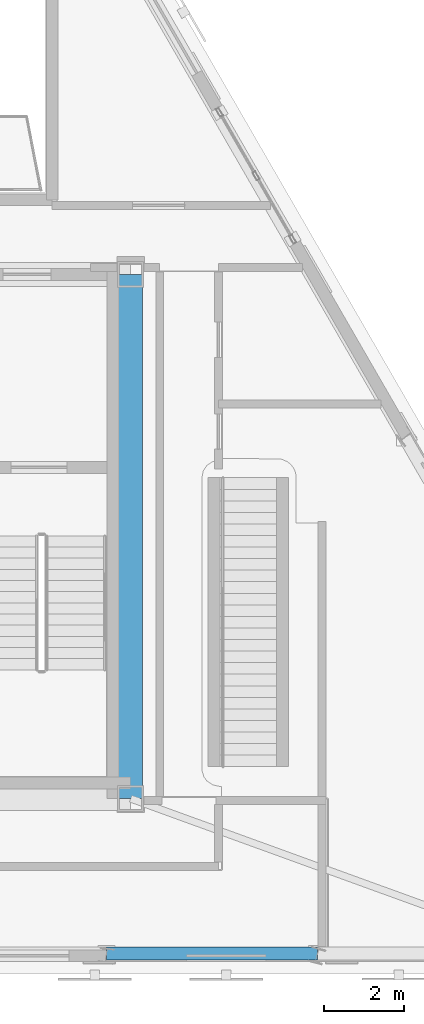
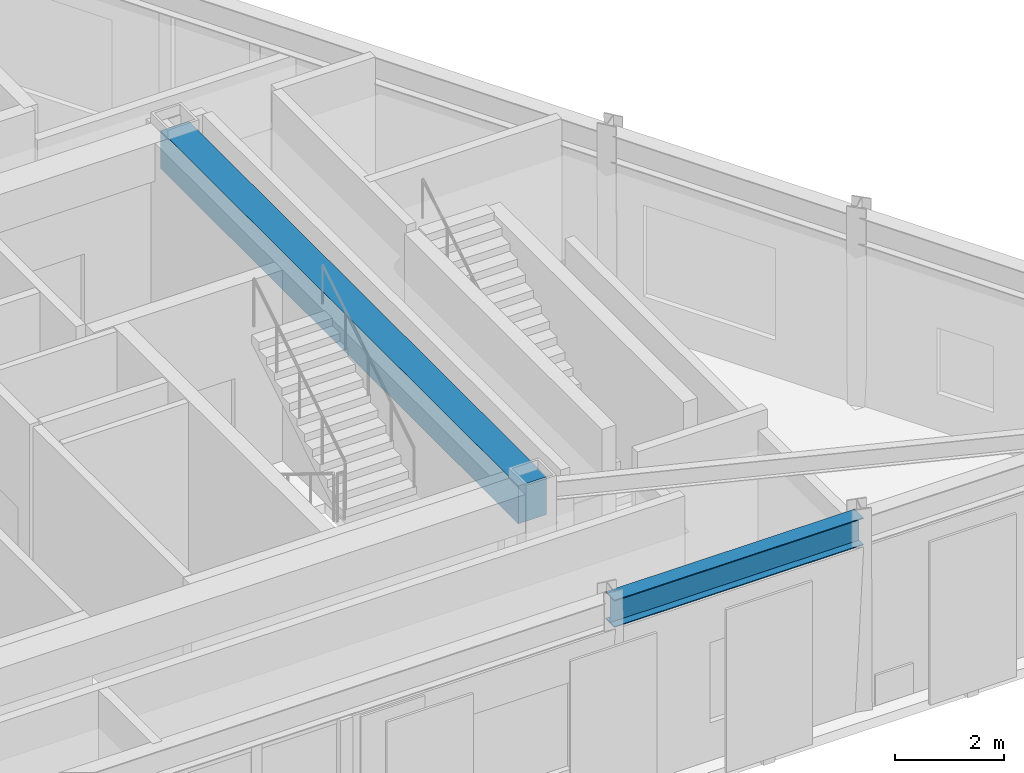
# One storey, part 3 of 15: 2 beams.
"""IFC4 building model written with IfcOpenShell, lengths in metres."""

import ifcopenshell
import ifcopenshell.guid

model = None  # the IFC model being written
_history = None  # IfcOwnerHistory: only IFC2X3 demands one
_inside = {}  # id of a spatial element -> (the spatial element, [elements in it])
_under = {}  # id of a project, library or spatial element -> (it, [spatial elements below it])
_declared = {}  # id of a project -> (the project, [libraries it declares])
_typed = {}  # id of a type object -> (the type object, [elements of that type])
_made_of = {}  # id of a material, layer set ... -> (it, [elements and type objects made of it])


def new_model(schema):
    """Start an empty IFC model of exactly this schema.

    Asked for "IFC4X3", IfcOpenShell would pick the latest addendum, in which some entities
    have other attributes; the version numbers below select the first issue.
    IFC2X3 requires an IfcOwnerHistory on every rooted entity: one is made here for all.
    """
    global model, _history
    if schema == "IFC4X3":
        model = ifcopenshell.file(schema_version=(4, 3, 0, 0))
    else:
        model = ifcopenshell.file(schema=schema)
    _inside.clear()
    _under.clear()
    _declared.clear()
    _typed.clear()
    _made_of.clear()
    _history = None
    if model.schema == "IFC2X3":
        org = make("IfcOrganization", Name="unknown")
        user = make(
            "IfcPersonAndOrganization",
            ThePerson=make("IfcPerson", FamilyName="unknown"),
            TheOrganization=org,
        )
        app = make(
            "IfcApplication",
            ApplicationDeveloper=org,
            Version="unknown",
            ApplicationFullName="unknown",
            ApplicationIdentifier="unknown",
        )
        _history = make(
            "IfcOwnerHistory",
            OwningUser=user,
            OwningApplication=app,
            ChangeAction="ADDED",
            CreationDate=0,
        )
    return model


def make(cls, **values):
    """One entity of the class cls with the attributes given. An attribute that is None is left unset."""
    return model.create_entity(
        cls, **{name: value for name, value in values.items() if value is not None}
    )


def rooted(cls, **values):
    """An entity with a GlobalId (a new one), such as an element, a storey or a relation."""
    return make(cls, GlobalId=ifcopenshell.guid.new(), OwnerHistory=_history, **values)


def si_unit(unit_type, name, prefix=None):
    """IfcSIUnit, for example si_unit("LENGTHUNIT", "METRE", prefix="MILLI")."""
    return make("IfcSIUnit", UnitType=unit_type, Prefix=prefix, Name=name)


def assignment(units):
    """IfcUnitAssignment: the units of a project."""
    return None if units is None else make("IfcUnitAssignment", Units=units)


def point(xyz):
    """IfcCartesianPoint."""
    return None if xyz is None else make("IfcCartesianPoint", Coordinates=xyz)


def direction(xyz):
    """IfcDirection."""
    return None if xyz is None else make("IfcDirection", DirectionRatios=xyz)


def frame(location, z_axis=None, x_axis=None):
    """IfcAxis2Placement3D, a coordinate frame: its origin and axes. An axis left out is left unset."""
    return make(
        "IfcAxis2Placement3D",
        Location=point(location),
        Axis=direction(z_axis),
        RefDirection=direction(x_axis),
    )


def frame_2d(location, x_axis=None):
    """IfcAxis2Placement2D, a coordinate frame in the plane: its origin and x axis."""
    return make(
        "IfcAxis2Placement2D", Location=point(location), RefDirection=direction(x_axis)
    )


def origin():
    """The frame at (0, 0, 0) with its axes left unset."""
    return frame((0.0, 0.0, 0.0))


def origin_2d():
    """The frame at (0, 0) in the plane with its x axis left unset."""
    return frame_2d((0.0, 0.0))


def place(relative_to, where):
    """IfcLocalPlacement: puts the frame where relative to a parent placement (None: the world)."""
    return make(
        "IfcLocalPlacement", PlacementRelTo=relative_to, RelativePlacement=where
    )


def context(
    kind, dimensions, precision=None, world=None, true_north=None, identifier=None
):
    """IfcGeometricRepresentationContext, for example the 3D "Model" context."""
    return make(
        "IfcGeometricRepresentationContext",
        ContextIdentifier=identifier,
        ContextType=kind,
        CoordinateSpaceDimension=dimensions,
        Precision=precision,
        WorldCoordinateSystem=world,
        TrueNorth=true_north,
    )


def subcontext(parent, identifier, kind, view, scale=None):
    """IfcGeometricRepresentationSubContext, for example "Body" below "Model"."""
    return make(
        "IfcGeometricRepresentationSubContext",
        ContextIdentifier=identifier,
        ContextType=kind,
        ParentContext=parent,
        TargetScale=scale,
        TargetView=view,
    )


def project(units=None, contexts=None):
    """IfcProject with its units and contexts."""
    return rooted(
        "IfcProject",
        Name="project",
        RepresentationContexts=contexts,
        UnitsInContext=assignment(units),
    )


def spatial(cls, under=None, at=None, **own):
    """A site, building, storey or space (cls), placed at a placement, below another one or the project."""
    s = rooted(cls, ObjectPlacement=at, **own)
    if under is not None:
        _under.setdefault(under.id(), (under, []))[1].append(s)
    return s


def profile(cls, at=None, kind="AREA", **sizes):
    """A parametric profile (cls). Its sizes go by their IFC names, for example OverallWidth=200.0."""
    return make(cls, ProfileType=kind, Position=at, **sizes)


def rectangle(**sizes):
    """IfcRectangleProfileDef."""
    return profile("IfcRectangleProfileDef", **sizes)


def i_section(**sizes):
    """IfcIShapeProfileDef."""
    return profile("IfcIShapeProfileDef", **sizes)


def extrude(swept, where, along, depth):
    """IfcExtrudedAreaSolid: the profile swept, set in the frame where, extruded along a direction by depth."""
    return make(
        "IfcExtrudedAreaSolid",
        SweptArea=swept,
        Position=where,
        ExtrudedDirection=direction(along),
        Depth=depth,
    )


def shape(context_of_items, identifier, shape_type, items):
    """IfcShapeRepresentation: the items that make up one representation, for example the "Body"."""
    return make(
        "IfcShapeRepresentation",
        ContextOfItems=context_of_items,
        RepresentationIdentifier=identifier,
        RepresentationType=shape_type,
        Items=items,
    )


def material(Name=None, Category=None):
    """IfcMaterial."""
    return make("IfcMaterial", Name=Name, Category=Category)


def material_profile(
    of_material, cross_section, Name=None, Category=None, Priority=None
):
    """IfcMaterialProfile: a cross section and its material."""
    return make(
        "IfcMaterialProfile",
        Name=Name,
        Material=of_material,
        Profile=cross_section,
        Priority=Priority,
        Category=Category,
    )


def profile_set(profiles, Name=None, composite=None):
    """IfcMaterialProfileSet."""
    return make(
        "IfcMaterialProfileSet",
        Name=Name,
        MaterialProfiles=profiles,
        CompositeProfile=composite,
    )


def made_of(thing, what):
    """Note that an element or type object is made of a material, layer set ...; save() writes the relation."""
    if what is not None:
        _made_of.setdefault(what.id(), (what, []))[1].append(thing)
    return thing


def type_object(cls, material=None, **own):
    """A type object (cls), such as IfcWallType, which elements share."""
    return made_of(rooted(cls, **own), material)


def element(
    cls,
    number,
    at=None,
    inside=None,
    cuts=None,
    type_object=None,
    material=None,
    context=None,
    identifier="Body",
    shape_type=None,
    held_by="IfcProductDefinitionShape",
    body=None,
    shapes=None,
    **own,
):
    """One element of the class cls, such as IfcWall. Its Tag is "e" and its number.

    at: its placement. inside: the storey or other place that contains it. cuts: it is an
    opening in that element (IfcRelVoidsElement). A single representation is given by context,
    identifier, shape_type and body (its items); several are given by shapes. held_by: the class
    of the entity that holds the representations. save() writes the other relations.
    """
    e = rooted(cls, Tag="e%d" % number, ObjectPlacement=at, **own)
    if body is not None:
        shapes = [shape(context, identifier, shape_type, body)]
    if shapes is not None:
        e.Representation = make(held_by, Representations=shapes)
    if inside is not None:
        _inside.setdefault(inside.id(), (inside, []))[1].append(e)
    if cuts is not None:
        rooted(
            "IfcRelVoidsElement", RelatingBuildingElement=cuts, RelatedOpeningElement=e
        )
    if type_object is not None:
        _typed.setdefault(type_object.id(), (type_object, []))[1].append(e)
    return made_of(e, material)


def aggregate(whole, parts):
    """IfcRelAggregates: a whole, such as a stair, and the parts it consists of."""
    return rooted("IfcRelAggregates", RelatingObject=whole, RelatedObjects=parts)


def save(model, path):
    """Write the relations noted so far, then the file.

    IfcRelAggregates (storeys below a building ...), IfcRelContainedInSpatialStructure (elements
    in a storey), IfcRelDefinesByType, IfcRelAssociatesMaterial and IfcRelDeclares: one each for
    every whole, place, type object, material and project.
    """
    for whole, parts in _under.values():
        aggregate(whole, parts)
    for where, things in _inside.values():
        rooted(
            "IfcRelContainedInSpatialStructure",
            RelatedElements=things,
            RelatingStructure=where,
        )
    for kind, things in _typed.values():
        rooted("IfcRelDefinesByType", RelatedObjects=things, RelatingType=kind)
    for what, things in _made_of.values():
        rooted("IfcRelAssociatesMaterial", RelatedObjects=things, RelatingMaterial=what)
    for by, libraries in _declared.values():
        rooted("IfcRelDeclares", RelatingContext=by, RelatedDefinitions=libraries)
    model.write(path)


model = new_model("IFC4")

# Units and contexts
model_context = context("Model", 3, precision=1e-05, world=origin(), true_north=direction((0.0, 1.0)))
body_context = subcontext(model_context, "Body", "Model", "MODEL_VIEW")
ifc_project = project(units=[si_unit("LENGTHUNIT", "METRE"), si_unit("AREAUNIT", "SQUARE_METRE"), si_unit("VOLUMEUNIT", "CUBIC_METRE"), si_unit("PLANEANGLEUNIT", "RADIAN"), si_unit("MASSUNIT", "GRAM", prefix="KILO")], contexts=[model_context])

# Site, building, storey
site_placement = place(None, origin())
site = spatial("IfcSite", under=ifc_project, at=site_placement, CompositionType="ELEMENT")
building_placement = place(site_placement, origin())
building = spatial("IfcBuilding", under=site, at=building_placement, Name="Oramaril Tower", CompositionType="ELEMENT")
storey_placement = place(building_placement, frame((0.0, 0.0, 305.10009765625)))
storey = spatial("IfcBuildingStorey", under=building, at=storey_placement, Name="L80", CompositionType="ELEMENT", Elevation=305.10009765625)

# Beams
ifc_material_1 = material(Name="Concrete C50/60", Category="concrete")
ifc_material_profile_1 = material_profile(ifc_material_1, rectangle(XDim=0.60009765625, YDim=0.85009765625, at=origin_2d()), Name="CB600X850")
ifc_profile_set_1 = profile_set([ifc_material_profile_1], Name="Concrete C50/60")
beam_type_1 = type_object("IfcBeamType", Name="BT-CB2", PredefinedType="BEAM", material=ifc_profile_set_1)
beam_1_placement = place(storey_placement, frame((45.64990234375, 11.0, 3.85498046875), z_axis=(0.0, 1.0, 0.0), x_axis=(-1.0, 0.0, 0.0)))
element("IfcBeam", 1, at=beam_1_placement, inside=storey, type_object=beam_type_1, Name="L80 Core Header Beam CB-2", PredefinedType="BEAM", context=body_context, shape_type="SweptSolid", body=[
    extrude(rectangle(XDim=0.60009765625, YDim=0.85009765625, at=origin_2d()), origin(), (0.0, 0.0, 1.0), 13.14990234375),
])
ifc_material_2 = material(Name="Steel ASTM A572 Gr 50", Category="steel")
ifc_material_profile_2 = material_profile(ifc_material_2, i_section(OverallWidth=0.324951171875, OverallDepth=0.612060546875, WebThickness=0.0126953125, FlangeThickness=0.01904296875, at=origin_2d()), Name="W24X104")
ifc_profile_set_2 = profile_set([ifc_material_profile_2], Name="Steel ASTM A572 Gr 50")
beam_type_2 = type_object("IfcBeamType", Name="BT-SP5", PredefinedType="SPANDREL", material=ifc_profile_set_2)
beam_2_placement = place(storey_placement, frame((45.048583984375, 7.109130859375, 3.973876953125), z_axis=(1.0, 0.0, 0.0), x_axis=(0.0, 1.0, 0.0)))
element("IfcBeam", 2, at=beam_2_placement, inside=storey, type_object=beam_type_2, Name="L80 Perimeter Spandrel 05", PredefinedType="SPANDREL", context=body_context, shape_type="SweptSolid", body=[
    extrude(i_section(OverallWidth=0.324951171875, OverallDepth=0.612060546875, WebThickness=0.0126953125, FlangeThickness=0.01904296875, at=origin_2d()), origin(), (0.0, 0.0, 1.0), 5.2841796875),
])

save(model, "model.ifc")
